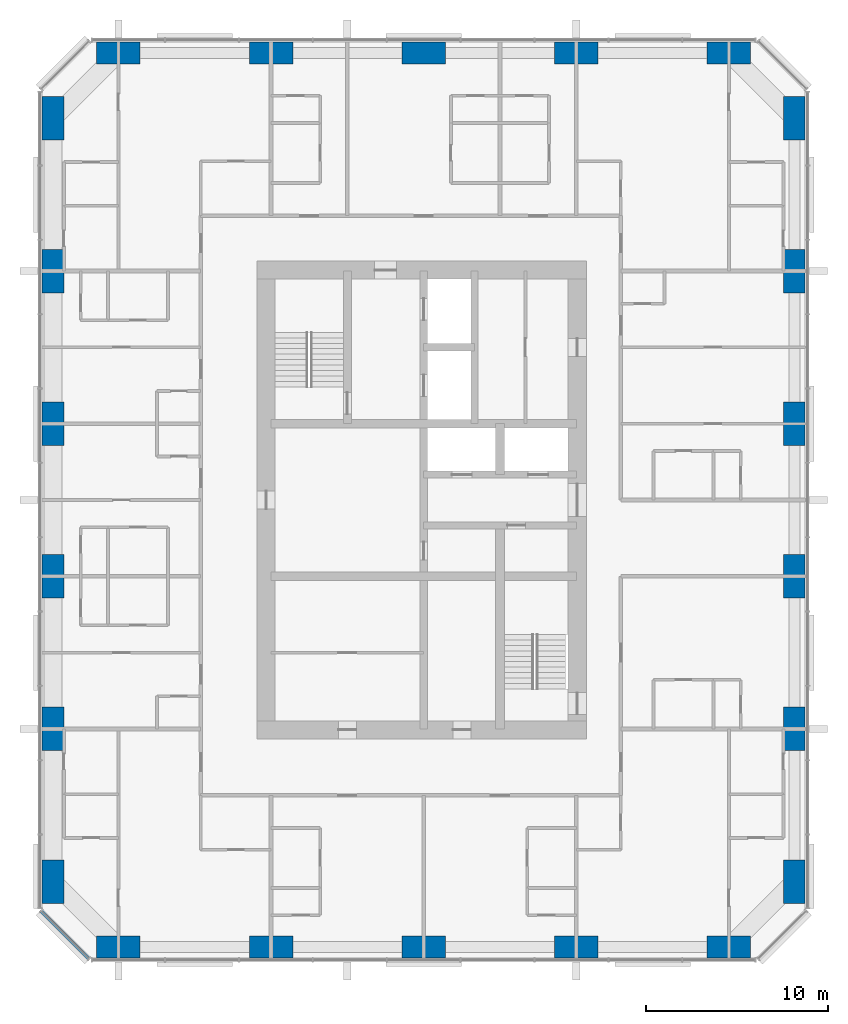
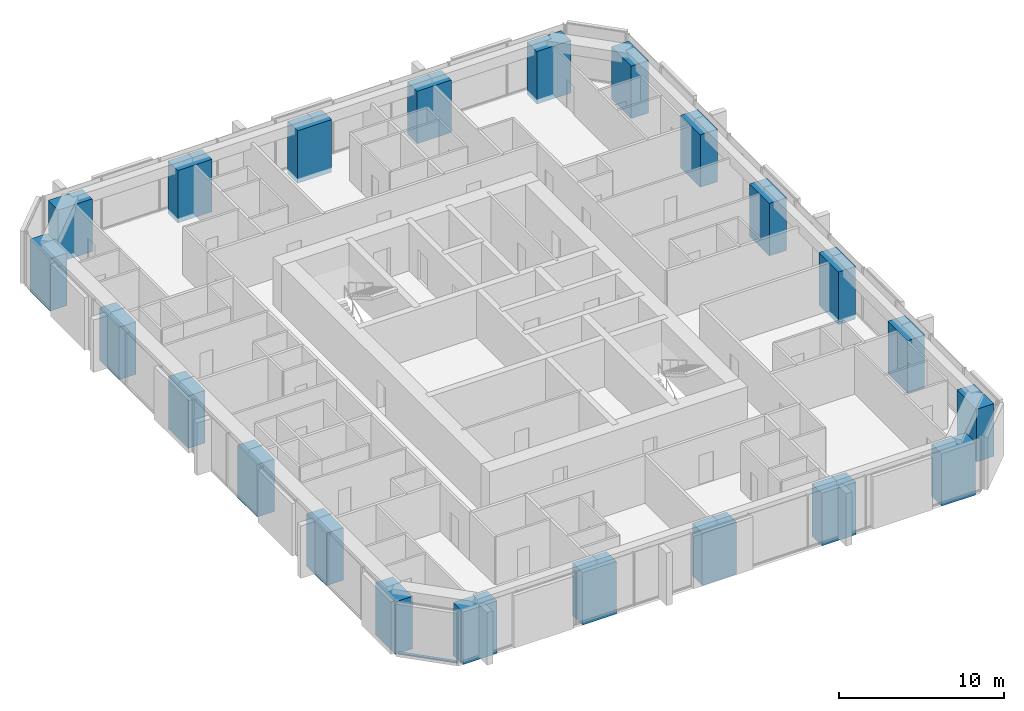
# One storey, part 1 of 12: 22 columns, 1 member, 1 element without a shape of its own.
"""IFC4 building model written with IfcOpenShell, lengths in metres."""

from ifc_helpers import new_model, si_unit, direction, frame, origin, origin_2d, place, context, subcontext, project, spatial, rectangle, extrude, material, material_profile, profile_set, type_object, element, aggregate, save


model = new_model("IFC4")

# Units and contexts
model_context = context("Model", 3, precision=1e-05, world=origin(), true_north=direction((0.0, 1.0)))
body_context = subcontext(model_context, "Body", "Model", "MODEL_VIEW")
ifc_project = project(units=[si_unit("LENGTHUNIT", "METRE"), si_unit("AREAUNIT", "SQUARE_METRE"), si_unit("VOLUMEUNIT", "CUBIC_METRE"), si_unit("PLANEANGLEUNIT", "RADIAN"), si_unit("MASSUNIT", "GRAM", prefix="KILO")], contexts=[model_context])

# Site, building, storey
site_placement = place(None, origin())
site = spatial("IfcSite", under=ifc_project, at=site_placement, CompositionType="ELEMENT")
building_placement = place(site_placement, origin())
building = spatial("IfcBuilding", under=site, at=building_placement, Name="Dunama Terrace Hotel", CompositionType="ELEMENT")
storey_placement = place(building_placement, frame((0.0, 0.0, 229.5)))
storey = spatial("IfcBuildingStorey", under=building, at=storey_placement, Name="L59", CompositionType="ELEMENT", Elevation=229.5)

# Columns
ifc_material_1 = material(Name="Concrete C60/75", Category="concrete")
ifc_material_profile_1 = material_profile(ifc_material_1, rectangle(XDim=1.199951171875, YDim=2.39990234375, at=origin_2d()), Name="RC 1200x2400")
ifc_profile_set_1 = profile_set([ifc_material_profile_1], Name="Concrete C60/75")
column_type_1 = type_object("IfcColumnType", Name="Column RC 1200x2400", PredefinedType="COLUMN", material=ifc_profile_set_1)
for number, where, z_axis, x_axis, name in (
    (1, (13.199951171875, 8.39990234375, -0.35009765625), (0.0, 0.0, 1.0), (1.0, 0.0, 0.0), "Column L59 +13.2/+8.4"),
    (2, (13.199951171875, 16.800048828125, -0.35009765625), (0.0, 0.0, 1.0), (1.0, 0.0, 0.0), "Column L59 +13.2/+16.8"),
    (3, (13.199951171875, 25.199951171875, -0.35009765625), (0.0, 0.0, 1.0), (1.0, 0.0, 0.0), "Column L59 +13.2/+25.2"),
    (4, (13.199951171875, 33.60009765625, -0.35009765625), (0.0, 0.0, 1.0), (1.0, 0.0, 0.0), "Column L59 +13.2/+33.6"),
    (5, (13.199951171875, 42.0, -0.35009765625), (0.0, 0.0, 1.0), (1.0, 0.0, 0.0), "Column L59 +13.2/+42.0"),
    (6, (13.199951171875, 50.39990234375, -0.35009765625), (0.0, 0.0, 1.0), (1.0, 0.0, 0.0), "Column L59 +13.2/+50.4"),
    (7, (54.0, 8.39990234375, -0.35009765625), (0.0, 0.0, 1.0), (1.0, 0.0, 0.0), "Column L59 +54.0/+8.4"),
    (8, (54.0, 16.800048828125, -0.35009765625), (0.0, 0.0, 1.0), (1.0, 0.0, 0.0), "Column L59 +54.0/+16.8"),
    (9, (54.0, 25.199951171875, -0.35009765625), (0.0, 0.0, 1.0), (1.0, 0.0, 0.0), "Column L59 +54.0/+25.2"),
    (10, (54.0, 33.60009765625, -0.35009765625), (0.0, 0.0, 1.0), (1.0, 0.0, 0.0), "Column L59 +54.0/+33.6"),
    (11, (54.0, 42.0, -0.35009765625), (0.0, 0.0, 1.0), (1.0, 0.0, 0.0), "Column L59 +54.0/+42.0"),
    (12, (54.0, 50.39990234375, -0.35009765625), (0.0, 0.0, 1.0), (1.0, 0.0, 0.0), "Column L59 +54.0/+50.4"),
):
    element("IfcColumn", number, at=place(storey_placement, frame(where, z_axis=z_axis, x_axis=x_axis)), inside=storey, type_object=column_type_1, Name=name, PredefinedType="COLUMN", context=body_context, shape_type="SweptSolid", body=[
        extrude(rectangle(XDim=1.199951171875, YDim=2.39990234375, at=origin_2d()), origin(), (0.0, 0.0, 1.0), 3.900146484375),
    ])
ifc_material_2 = material(Name="Concrete C60/75", Category="concrete")
ifc_material_profile_2 = material_profile(ifc_material_2, rectangle(XDim=2.39990234375, YDim=1.199951171875, at=origin_2d()), Name="RC 2400x1200")
ifc_profile_set_2 = profile_set([ifc_material_profile_2], Name="Concrete C60/75")
column_type_2 = type_object("IfcColumnType", Name="Column RC 2400x1200", PredefinedType="COLUMN", material=ifc_profile_set_2)
for number, where, z_axis, x_axis, name in (
    (13, (16.800048828125, 4.800048828125, -0.35009765625), (0.0, 0.0, 1.0), (1.0, 0.0, 0.0), "Column L59 +16.8/+4.8"),
    (14, (16.800048828125, 54.0, -0.35009765625), (0.0, 0.0, 1.0), (1.0, 0.0, 0.0), "Column L59 +16.8/+54.0"),
    (15, (25.199951171875, 4.800048828125, -0.35009765625), (0.0, 0.0, 1.0), (1.0, 0.0, 0.0), "Column L59 +25.2/+4.8"),
    (16, (25.199951171875, 54.0, -0.35009765625), (0.0, 0.0, 1.0), (1.0, 0.0, 0.0), "Column L59 +25.2/+54.0"),
    (17, (33.60009765625, 4.800048828125, -0.35009765625), (0.0, 0.0, 1.0), (1.0, 0.0, 0.0), "Column L59 +33.6/+4.8"),
    (18, (33.60009765625, 54.0, -0.35009765625), (0.0, 0.0, 1.0), (1.0, 0.0, 0.0), "Column L59 +33.6/+54.0"),
    (19, (42.0, 4.800048828125, -0.35009765625), (0.0, 0.0, 1.0), (1.0, 0.0, 0.0), "Column L59 +42.0/+4.8"),
    (20, (42.0, 54.0, -0.35009765625), (0.0, 0.0, 1.0), (1.0, 0.0, 0.0), "Column L59 +42.0/+54.0"),
    (21, (50.39990234375, 4.800048828125, -0.35009765625), (0.0, 0.0, 1.0), (1.0, 0.0, 0.0), "Column L59 +50.4/+4.8"),
    (22, (50.39990234375, 54.0, -0.35009765625), (0.0, 0.0, 1.0), (1.0, 0.0, 0.0), "Column L59 +50.4/+54.0"),
):
    element("IfcColumn", number, at=place(storey_placement, frame(where, z_axis=z_axis, x_axis=x_axis)), inside=storey, type_object=column_type_2, Name=name, PredefinedType="COLUMN", context=body_context, shape_type="SweptSolid", body=[
        extrude(rectangle(XDim=2.39990234375, YDim=1.199951171875, at=origin_2d()), origin(), (0.0, 0.0, 1.0), 3.900146484375),
    ])

# Curtain wall, member
ifc_material_3 = material(Name="Aluminium curtain wall system", Category="aluminium")
curtain_wall_type = type_object("IfcCurtainWallType", Name="Unitised fritted glass wall CW-D", PredefinedType="NOTDEFINED", material=ifc_material_3)
curtain_wall_placement = place(storey_placement, origin())
curtain_wall = element("IfcCurtainWall", 23, at=curtain_wall_placement, inside=storey, type_object=curtain_wall_type, Name="Unitised fritted glass wall CW-D L59", PredefinedType="NOTDEFINED")
ifc_material_4 = material(Name="Aluminium transom", Category="aluminium")
ifc_material_profile_3 = material_profile(ifc_material_4, rectangle(XDim=0.199951171875, YDim=0.0849609375, at=origin_2d()), Name="CWD TRANSOM 200X85")
ifc_profile_set_3 = profile_set([ifc_material_profile_3], Name="Aluminium transom")
member_type = type_object("IfcMemberType", Name="CWD transom 200x85", PredefinedType="USERDEFINED", material=ifc_profile_set_3)
member_placement = place(storey_placement, frame((12.56494140625, 6.76611328125, 0.04248046875), z_axis=(0.707106781187, -0.707106781187, 0.0), x_axis=(0.707106781187, 0.707106781187, 0.0)))
member = element("IfcMember", 24, at=member_placement, type_object=member_type, Name="CWD transom", ObjectType="TRANSOM", PredefinedType="USERDEFINED", context=body_context, shape_type="SweptSolid", body=[
    extrude(rectangle(XDim=0.199951171875, YDim=0.0849609375, at=origin_2d()), origin(), (0.0, 0.0, 1.0), 3.678466796875),
])
aggregate(curtain_wall, [member])

save(model, "model.ifc")
